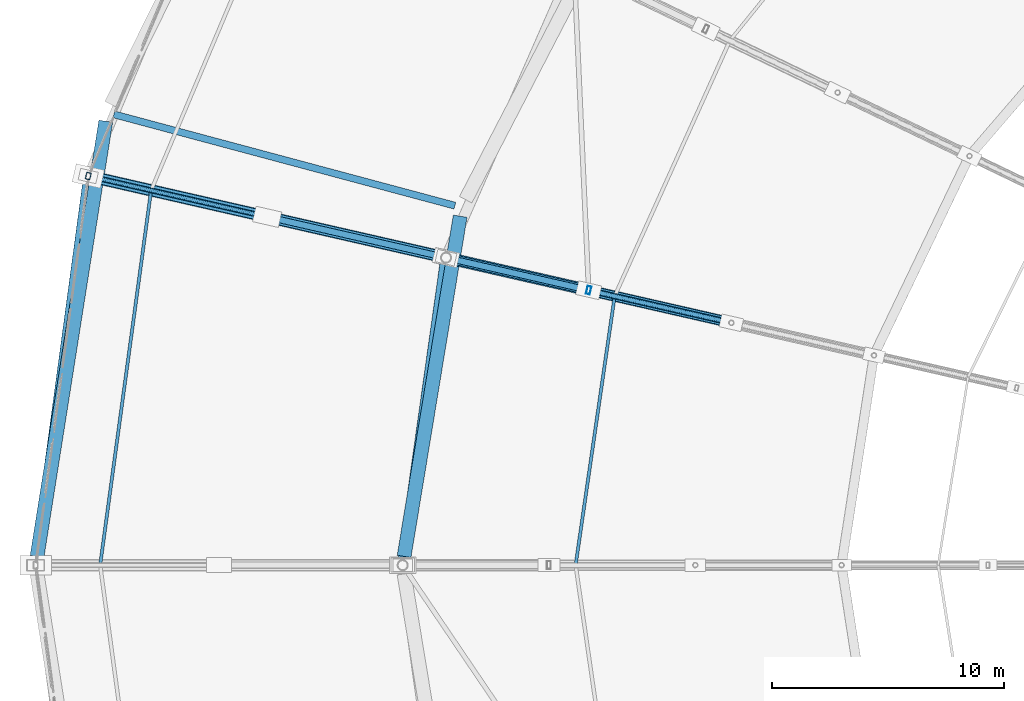
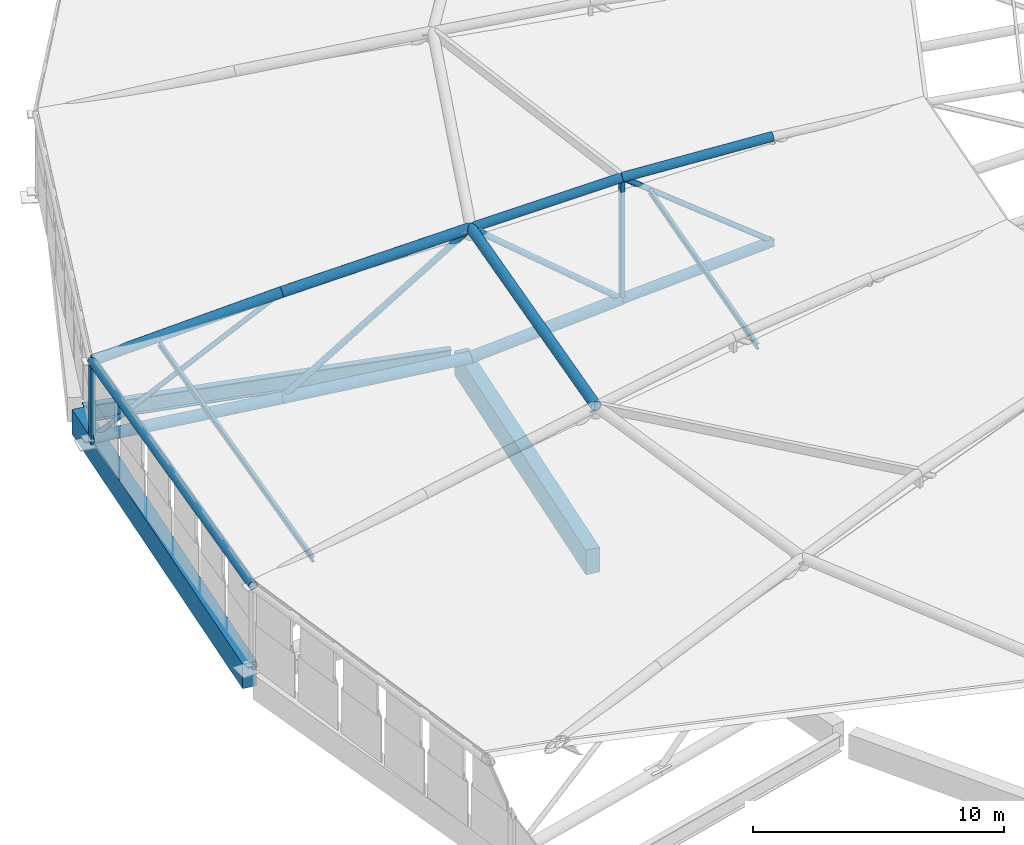
# One storey, part 31 of 108: 18 members, 3 beams.
"""IFC4 building model written with IfcOpenShell, lengths in metres."""

from ifc_helpers import new_model, si_unit, direction, frame, origin, origin_2d, place, context, subcontext, project, spatial, rectangle, hollow_rectangle, hollow_circle, i_section, extrude, material, material_profile, profile_set, type_object, element, save


model = new_model("IFC4")

# Units and contexts
model_context = context("Model", 3, precision=1e-05, world=origin(), true_north=direction((0.0, 1.0)))
body_context = subcontext(model_context, "Body", "Model", "MODEL_VIEW")
ifc_project = project(units=[si_unit("LENGTHUNIT", "METRE"), si_unit("AREAUNIT", "SQUARE_METRE"), si_unit("VOLUMEUNIT", "CUBIC_METRE"), si_unit("PLANEANGLEUNIT", "RADIAN"), si_unit("MASSUNIT", "GRAM", prefix="KILO")], contexts=[model_context])

# Site, building, storey
site_placement = place(None, origin())
site = spatial("IfcSite", under=ifc_project, at=site_placement, CompositionType="ELEMENT")
building_placement = place(site_placement, origin())
building = spatial("IfcBuilding", under=site, at=building_placement, Name="Zevraka Park Crest Stadium", CompositionType="ELEMENT")
storey_placement = place(building_placement, frame((0.0, 0.0, 29.39990234375)))
storey = spatial("IfcBuildingStorey", under=building, at=storey_placement, Name="RF", CompositionType="ELEMENT", Elevation=29.39990234375)

# Beam
ifc_material_1 = material(Name="Steel S355", Category="steel")
ifc_material_profile_1 = material_profile(ifc_material_1, i_section(OverallWidth=0.300048828125, OverallDepth=0.800048828125, WebThickness=0.017578125, FlangeThickness=0.032958984375, at=origin_2d()), Name="HEB 800")
ifc_profile_set_1 = profile_set([ifc_material_profile_1], Name="Steel S355")
beam_type_1 = type_object("IfcBeamType", Name="BG10", PredefinedType="BEAM", material=ifc_profile_set_1)
beam_1_placement = place(storey_placement, frame((39.7490234375, 107.47802734375, -0.534912109375), z_axis=(-0.965945614181, 0.25874518439, 0.0), x_axis=(-0.25874518439, -0.965945614181, 0.0)))
element("IfcBeam", 1, at=beam_1_placement, inside=storey, type_object=beam_type_1, Name="Radial Girder BG10 RF-BD-11", PredefinedType="BEAM", context=body_context, shape_type="SweptSolid", body=[
    extrude(i_section(OverallWidth=0.300048828125, OverallDepth=0.800048828125, WebThickness=0.017578125, FlangeThickness=0.032958984375, at=origin_2d()), origin(), (0.0, 0.0, 1.0), 15.19970703125),
])

# Members
ifc_material_2 = material(Name="Steel S355", Category="steel")
ifc_material_profile_2 = material_profile(ifc_material_2, i_section(OverallWidth=0.135009765625, OverallDepth=0.27001953125, WebThickness=0.006591796875, FlangeThickness=0.01025390625, at=origin_2d()), Name="IPE 270")
ifc_profile_set_2 = profile_set([ifc_material_profile_2], Name="Steel S355")
member_type_1 = type_object("IfcMemberType", Name="PR04", PredefinedType="PURLIN", material=ifc_profile_set_2)
member_1_placement = place(storey_placement, frame((26.669921875, 108.137939453125, 4.302001953125), z_axis=(-0.134704466965, -0.990885819144, 0.0), x_axis=(0.990885819144, -0.134704466965, 0.0)))
element("IfcMember", 2, at=member_1_placement, inside=storey, type_object=member_type_1, Name="Canopy Roof Purlin PR04 OUTER-14-1", PredefinedType="PURLIN", context=body_context, shape_type="SweptSolid", body=[
    extrude(i_section(OverallWidth=0.135009765625, OverallDepth=0.27001953125, WebThickness=0.006591796875, FlangeThickness=0.01025390625, at=origin_2d()), origin(), (0.0, 0.0, 1.0), 16.286376953125),
])
member_2_placement = place(storey_placement, frame((46.6298828125, 103.58203125, 7.488037109375), z_axis=(-0.143625982386, -0.989632041308, 0.0), x_axis=(0.989632041308, -0.143625982386, 0.0)))
element("IfcMember", 3, at=member_2_placement, inside=storey, type_object=member_type_1, Name="Canopy Roof Purlin PR04 OUTER-14-2", PredefinedType="PURLIN", context=body_context, shape_type="SweptSolid", body=[
    extrude(i_section(OverallWidth=0.135009765625, OverallDepth=0.27001953125, WebThickness=0.006591796875, FlangeThickness=0.01025390625, at=origin_2d()), origin(), (0.0, 0.0, 1.0), 11.703369140625),
])

# Beams
ifc_material_3 = material(Name="Concrete C40/50", Category="concrete")
ifc_material_profile_3 = material_profile(ifc_material_3, rectangle(XDim=0.60009765625, YDim=1.199951171875, at=origin_2d()), Name="RC 1200x600")
ifc_profile_set_3 = profile_set([ifc_material_profile_3], Name="Concrete C40/50")
beam_type_2 = type_object("IfcBeamType", Name="RB01", PredefinedType="BEAM", material=ifc_profile_set_3)
beam_2_placement = place(storey_placement, frame((39.97705078125, 107.02490234375, -0.599853515625), z_axis=(-0.162654875862, -0.986683024764, 0.0), x_axis=(0.986683024764, -0.162654875862, 0.0)))
element("IfcBeam", 4, at=beam_2_placement, inside=storey, type_object=beam_type_2, Name="Ring Beam RB01 RF-B-11", PredefinedType="BEAM", context=body_context, shape_type="SweptSolid", body=[
    extrude(rectangle(XDim=0.60009765625, YDim=1.199951171875, at=origin_2d()), origin(), (0.0, 0.0, 1.0), 14.84765625),
])
beam_3_placement = place(storey_placement, frame((24.718017578125, 111.114013671875, -0.599853515625), z_axis=(-0.155972486086, -0.987761400129, 0.0), x_axis=(0.987761400129, -0.155972486086, 0.0)))
element("IfcBeam", 5, at=beam_3_placement, inside=storey, type_object=beam_type_2, Name="Ring Beam RB01 RF-D-11", PredefinedType="BEAM", context=body_context, shape_type="SweptSolid", body=[
    extrude(rectangle(XDim=0.60009765625, YDim=1.199951171875, at=origin_2d()), origin(), (0.0, 0.0, 1.0), 18.97119140625),
])

# Members
ifc_material_4 = material(Name="Steel S355", Category="steel")
ifc_material_profile_4 = material_profile(ifc_material_4, hollow_circle(Radius=0.25390625, WallThickness=0.030029296875, at=origin_2d()), Name="CHS 508.0x30")
ifc_profile_set_4 = profile_set([ifc_material_profile_4], Name="Steel S355")
member_type_2 = type_object("IfcMemberType", Name="TC01", PredefinedType="CHORD", material=ifc_profile_set_4)
member_3_placement = place(storey_placement, frame((23.964111328125, 108.756103515625, 0.25), z_axis=(0.974221443169, -0.222378312114, 0.037953471127), x_axis=(0.222538649551, 0.974923868544, 0.0)))
element("IfcMember", 6, at=member_3_placement, inside=storey, type_object=member_type_2, Name="Roof Truss Bottom Chord TC01 T14-1", PredefinedType="CHORD", context=body_context, shape_type="SweptSolid", body=[
    extrude(hollow_circle(Radius=0.25390625, WallThickness=0.030029296875, at=origin_2d()), origin(), (0.0, 0.0, 1.0), 7.90576171875),
])
member_4_placement = place(storey_placement, frame((31.666015625, 106.998046875, 0.550048828125), z_axis=(0.97396794057, -0.222320446954, 0.044272673369), x_axis=(0.222538649551, 0.974923868544, 0.0)))
element("IfcMember", 7, at=member_4_placement, inside=storey, type_object=member_type_2, Name="Roof Truss Bottom Chord TC01 T14-2", PredefinedType="CHORD", context=body_context, shape_type="SweptSolid", body=[
    extrude(hollow_circle(Radius=0.25390625, WallThickness=0.030029296875, at=origin_2d()), origin(), (0.0, 0.0, 1.0), 7.90771484375),
])
member_5_placement = place(storey_placement, frame((39.367919921875, 105.239990234375, 0.900146484375), z_axis=(0.946688466518, -0.216107475285, 0.2389110849), x_axis=(0.222552266698, 0.974920760158, 0.0)))
element("IfcMember", 8, at=member_5_placement, inside=storey, type_object=member_type_2, Name="Roof Truss Bottom Chord TC01 T14-3", PredefinedType="CHORD", context=body_context, shape_type="SweptSolid", body=[
    extrude(hollow_circle(Radius=0.25390625, WallThickness=0.030029296875, at=origin_2d()), origin(), (0.0, 0.0, 1.0), 6.488037109375),
])
ifc_material_5 = material(Name="Steel S355", Category="steel")
ifc_material_profile_5 = material_profile(ifc_material_5, hollow_circle(Radius=0.228515625, WallThickness=0.02490234375, at=origin_2d()), Name="CHS 457.0x25")
ifc_profile_set_5 = profile_set([ifc_material_profile_5], Name="Steel S355")
member_type_3 = type_object("IfcMemberType", Name="TC02", PredefinedType="CHORD", material=ifc_profile_set_5)
member_6_placement = place(storey_placement, frame((23.964111328125, 108.756103515625, 4.0), z_axis=(0.953101185452, -0.217557347337, 0.210397079136), x_axis=(0.222538649551, 0.974923868544, 0.0)))
element("IfcMember", 9, at=member_6_placement, inside=storey, type_object=member_type_3, Name="Roof Truss Top Chord TC02 T14-1", PredefinedType="CHORD", context=body_context, shape_type="SweptSolid", body=[
    extrude(hollow_circle(Radius=0.228515625, WallThickness=0.02490234375, at=origin_2d()), origin(), (0.0, 0.0, 1.0), 8.080810546875),
])
member_7_placement = place(storey_placement, frame((31.666015625, 106.998046875, 5.7001953125), z_axis=(0.957811298019, -0.218632489842, 0.186540482931), x_axis=(0.222538649551, 0.974923868544, 0.0)))
element("IfcMember", 10, at=member_7_placement, inside=storey, type_object=member_type_3, Name="Roof Truss Top Chord TC02 T14-2", PredefinedType="CHORD", context=body_context, shape_type="SweptSolid", body=[
    extrude(hollow_circle(Radius=0.228515625, WallThickness=0.02490234375, at=origin_2d()), origin(), (0.0, 0.0, 1.0), 8.041259765625),
])
member_8_placement = place(storey_placement, frame((45.510009765625, 103.837890625, 2.4501953125), z_axis=(0.948417452042, -0.216464464966, 0.231619239421), x_axis=(0.222515433667, 0.974929167571, 0.0)))
element("IfcMember", 11, at=member_8_placement, inside=storey, type_object=member_type_3, Name="Roof Truss Bottom Chord TC02 T14-4", PredefinedType="CHORD", context=body_context, shape_type="SweptSolid", body=[
    extrude(hollow_circle(Radius=0.228515625, WallThickness=0.02490234375, at=origin_2d()), origin(), (0.0, 0.0, 1.0), 6.47607421875),
])
member_9_placement = place(storey_placement, frame((39.367919921875, 105.239990234375, 7.2001953125), z_axis=(-0.139698239704, -0.990194123303, 0.0), x_axis=(0.990194123303, -0.139698239704, 0.0)))
element("IfcMember", 12, at=member_9_placement, inside=storey, type_object=member_type_3, Name="Roof Main Bowl-Rim Ring Chord TC02 14", PredefinedType="CHORD", context=body_context, shape_type="SweptSolid", body=[
    extrude(hollow_circle(Radius=0.228515625, WallThickness=0.02490234375, at=origin_2d()), origin(), (0.0, 0.0, 1.0), 13.37109375),
])
ifc_material_6 = material(Name="Steel S355", Category="steel")
ifc_material_profile_6 = material_profile(ifc_material_6, hollow_circle(Radius=0.203125, WallThickness=0.02001953125, at=origin_2d()), Name="CHS 406.4x20")
ifc_profile_set_6 = profile_set([ifc_material_profile_6], Name="Steel S355")
member_type_4 = type_object("IfcMemberType", Name="TC03", PredefinedType="CHORD", material=ifc_profile_set_6)
member_10_placement = place(storey_placement, frame((39.367919921875, 105.239990234375, 7.2001953125), z_axis=(0.959076254167, -0.218935325848, 0.179555177563), x_axis=(0.222552266698, 0.974920760158, 0.0)))
element("IfcMember", 13, at=member_10_placement, inside=storey, type_object=member_type_4, Name="Roof Truss Top Chord TC03 T14-3", PredefinedType="CHORD", context=body_context, shape_type="SweptSolid", body=[
    extrude(hollow_circle(Radius=0.203125, WallThickness=0.02001953125, at=origin_2d()), origin(), (0.0, 0.0, 1.0), 6.404052734375),
])
member_11_placement = place(storey_placement, frame((45.510009765625, 103.837890625, 8.35009765625), z_axis=(0.968967135764, -0.221154674201, 0.110423276025), x_axis=(0.222515433667, 0.974929167571, 0.0)))
element("IfcMember", 14, at=member_11_placement, inside=storey, type_object=member_type_4, Name="Roof Truss Top Chord TC03 T14-4", PredefinedType="CHORD", context=body_context, shape_type="SweptSolid", body=[
    extrude(hollow_circle(Radius=0.203125, WallThickness=0.02001953125, at=origin_2d()), origin(), (0.0, 0.0, 1.0), 6.3388671875),
])
member_12_placement = place(storey_placement, frame((23.964111328125, 108.756103515625, 4.0), z_axis=(-0.133907548369, -0.990993828684, 0.0), x_axis=(0.990993828684, -0.133907548369, 0.0)))
element("IfcMember", 15, at=member_12_placement, inside=storey, type_object=member_type_4, Name="Roof Outer Canopy Ring Chord TC03 14", PredefinedType="CHORD", context=body_context, shape_type="SweptSolid", body=[
    extrude(hollow_circle(Radius=0.203125, WallThickness=0.02001953125, at=origin_2d()), origin(), (0.0, 0.0, 1.0), 16.908447265625),
])
ifc_material_7 = material(Name="Steel S355", Category="steel")
ifc_material_profile_7 = material_profile(ifc_material_7, hollow_circle(Radius=0.136474609375, WallThickness=0.012451171875, at=origin_2d()), Name="CHS 273.0x12.5")
ifc_profile_set_7 = profile_set([ifc_material_profile_7], Name="Steel S355")
member_type_5 = type_object("IfcMemberType", Name="WB01", PredefinedType="BRACE", material=ifc_profile_set_7)
member_13_placement = place(storey_placement, frame((31.666015625, 106.998046875, 0.550048828125), z_axis=(0.745846000859, -0.170248741629, 0.643994649805), x_axis=(0.222538649551, 0.974923868544, 0.0)))
element("IfcMember", 16, at=member_13_placement, inside=storey, type_object=member_type_5, Name="Roof Truss Web Diagonal WB01 T14-2", PredefinedType="BRACE", context=body_context, shape_type="SweptSolid", body=[
    extrude(hollow_circle(Radius=0.136474609375, WallThickness=0.012451171875, at=origin_2d()), origin(), (0.0, 0.0, 1.0), 10.326416015625),
])
member_14_placement = place(storey_placement, frame((45.510009765625, 103.837890625, 2.4501953125), z_axis=(-0.778455428701, 0.177703693737, 0.602020384005), x_axis=(-0.222552266698, -0.974920760158, 0.0)))
element("IfcMember", 17, at=member_14_placement, inside=storey, type_object=member_type_5, Name="Roof Truss Web Diagonal WB01 T14-3", PredefinedType="BRACE", context=body_context, shape_type="SweptSolid", body=[
    extrude(hollow_circle(Radius=0.136474609375, WallThickness=0.012451171875, at=origin_2d()), origin(), (0.0, 0.0, 1.0), 7.89013671875),
])
ifc_material_8 = material(Name="Steel S355", Category="steel")
ifc_material_profile_8 = material_profile(ifc_material_8, hollow_circle(Radius=0.109619140625, WallThickness=0.010009765625, at=origin_2d()), Name="CHS 219.1x10")
ifc_profile_set_8 = profile_set([ifc_material_profile_8], Name="Steel S355")
member_type_6 = type_object("IfcMemberType", Name="WB02", PredefinedType="BRACE", material=ifc_profile_set_8)
member_15_placement = place(storey_placement, frame((23.964111328125, 108.756103515625, 0.25), z_axis=(0.802478850294, -0.183175902652, 0.56786819203), x_axis=(0.222538649551, 0.974923868544, 0.0)))
element("IfcMember", 18, at=member_15_placement, inside=storey, type_object=member_type_6, Name="Roof Truss Web Diagonal WB02 T14-1", PredefinedType="BRACE", context=body_context, shape_type="SweptSolid", body=[
    extrude(hollow_circle(Radius=0.109619140625, WallThickness=0.010009765625, at=origin_2d()), origin(), (0.0, 0.0, 1.0), 9.59765625),
])
ifc_material_9 = material(Name="Steel S355", Category="steel")
ifc_material_profile_9 = material_profile(ifc_material_9, hollow_rectangle(XDim=0.199951171875, YDim=0.300048828125, WallThickness=0.012451171875, at=origin_2d()), Name="RHS 300x200x12.5")
ifc_profile_set_9 = profile_set([ifc_material_profile_9], Name="Steel S355")
member_type_7 = type_object("IfcMemberType", Name="WB03", PredefinedType="BRACE", material=ifc_profile_set_9)
member_16_placement = place(storey_placement, frame((23.964111328125, 108.756103515625, 0.0), z_axis=(0.0, 0.0, 1.0), x_axis=(-0.974916814618, 0.222569549971, 0.0)))
element("IfcMember", 19, at=member_16_placement, inside=storey, type_object=member_type_7, Name="Roof Truss Anchor Strut WB03 T14-0", PredefinedType="BRACE", context=body_context, shape_type="SweptSolid", body=[
    extrude(hollow_rectangle(XDim=0.199951171875, YDim=0.300048828125, WallThickness=0.012451171875, at=origin_2d()), origin(), (0.0, 0.0, 1.0), 4.0),
])
ifc_material_10 = material(Name="Steel S355", Category="steel")
ifc_material_profile_10 = material_profile(ifc_material_10, hollow_circle(Radius=0.122314453125, WallThickness=0.012451171875, at=origin_2d()), Name="CHS 244.5x12.5")
ifc_profile_set_10 = profile_set([ifc_material_profile_10], Name="Steel S355")
member_type_8 = type_object("IfcMemberType", Name="WB07", PredefinedType="BRACE", material=ifc_profile_set_10)
member_17_placement = place(storey_placement, frame((51.652099609375, 102.43603515625, 3.9501953125), z_axis=(-0.799296035547, 0.18242935989, 0.572577834193), x_axis=(-0.222515433667, -0.974929167571, 0.0)))
element("IfcMember", 20, at=member_17_placement, inside=storey, type_object=member_type_8, Name="Roof Truss Web Diagonal WB07 T14-4", PredefinedType="BRACE", context=body_context, shape_type="SweptSolid", body=[
    extrude(hollow_circle(Radius=0.122314453125, WallThickness=0.012451171875, at=origin_2d()), origin(), (0.0, 0.0, 1.0), 7.684326171875),
])
ifc_material_11 = material(Name="Steel S355", Category="steel")
ifc_material_profile_11 = material_profile(ifc_material_11, hollow_rectangle(XDim=0.175048828125, YDim=0.35009765625, WallThickness=0.012451171875, at=origin_2d()), Name="RHS 350x175x12.5")
ifc_profile_set_11 = profile_set([ifc_material_profile_11], Name="Steel S355")
member_type_9 = type_object("IfcMemberType", Name="WB09", PredefinedType="BRACE", material=ifc_profile_set_11)
member_18_placement = place(storey_placement, frame((45.510009765625, 103.837890625, 2.4501953125), z_axis=(0.0, 0.0, 1.0), x_axis=(-0.974916814618, 0.222569549971, 0.0)))
element("IfcMember", 21, at=member_18_placement, inside=storey, type_object=member_type_9, Name="Roof Truss Web Post WB09 T14-3", PredefinedType="BRACE", context=body_context, shape_type="SweptSolid", body=[
    extrude(hollow_rectangle(XDim=0.175048828125, YDim=0.35009765625, WallThickness=0.012451171875, at=origin_2d()), origin(), (0.0, 0.0, 1.0), 5.89990234375),
])

save(model, "model.ifc")
